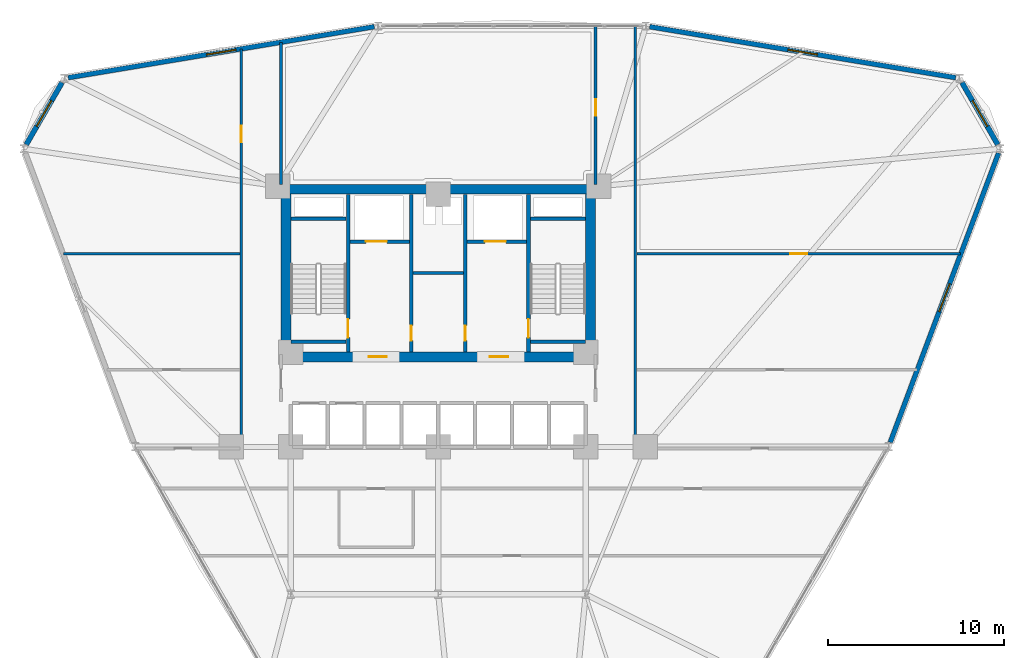
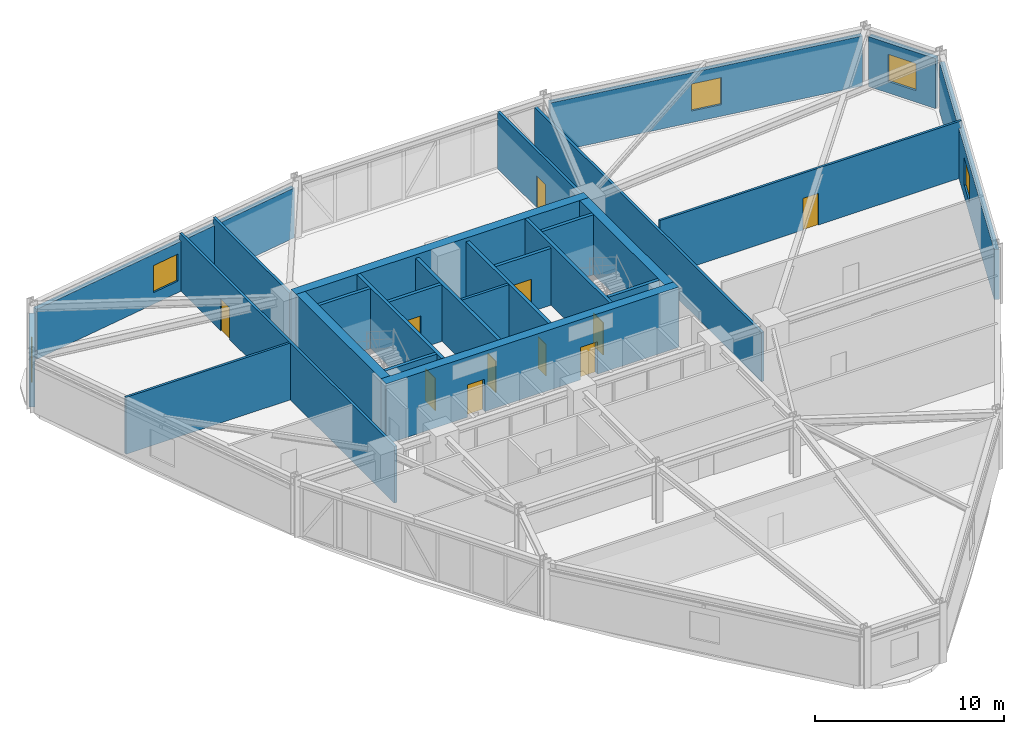
# One storey, part 15 of 20: 26 walls, 11 doors, 5 windows, 16 openings.
"""IFC4 building model written with IfcOpenShell, lengths in metres."""

from ifc_helpers import new_model, si_unit, derived_unit, direction, frame, frame_2d, origin, place, context, subcontext, project, spatial, rectangle, extrude, material, layer, layer_set, type_object, element, fill, save


model = new_model("IFC4")

# Units and contexts
model_context = context("Model", 3, precision=1e-05, world=origin(), true_north=direction((0.0, 1.0)))
body_context = subcontext(model_context, "Body", "Model", "MODEL_VIEW")
ifc_project = project(units=[si_unit("LENGTHUNIT", "METRE"), si_unit("AREAUNIT", "SQUARE_METRE"), si_unit("VOLUMEUNIT", "CUBIC_METRE"), si_unit("PLANEANGLEUNIT", "RADIAN"), si_unit("MASSUNIT", "GRAM", prefix="KILO"), derived_unit("THERMALTRANSMITTANCEUNIT", [(si_unit("POWERUNIT", "WATT"), 1), (si_unit("LENGTHUNIT", "METRE"), -2), (si_unit("THERMODYNAMICTEMPERATUREUNIT", "KELVIN"), -1)])], contexts=[model_context])

# Site, building, storey
site_placement = place(None, origin())
site = spatial("IfcSite", under=ifc_project, at=site_placement, CompositionType="ELEMENT")
building_placement = place(site_placement, origin())
building = spatial("IfcBuilding", under=site, at=building_placement, Name="Korsvarv Bourse and Concert Hall", CompositionType="ELEMENT")
storey_placement = place(building_placement, frame((0.0, 0.0, 67.800048828125)))
storey = spatial("IfcBuildingStorey", under=building, at=storey_placement, Name="L16", CompositionType="ELEMENT", Elevation=67.800048828125)

# Wall, opening, door
ifc_material_1 = material(Name="Concrete C50/60", Category="concrete")
ifc_layer_1 = layer(ifc_material_1, 0.3798828125)
ifc_layer_set_1 = layer_set([ifc_layer_1], Name="Concrete C50/60")
wall_type_1 = type_object("IfcWallType", Name="WL-CORE-380", PredefinedType="SHEAR", material=ifc_layer_set_1)
wall_1_placement = place(storey_placement, frame((30.860107421875, 37.81005859375, 0.0), z_axis=(0.0, 0.0, 1.0), x_axis=(0.0, 1.0, 0.0)))
wall_1 = element("IfcWall", 1, at=wall_1_placement, inside=storey, type_object=wall_type_1, Name="L16 stair shaft structural wall W-L16-ST1-E", PredefinedType="SHEAR", context=body_context, shape_type="SweptSolid", body=[
    extrude(rectangle(XDim=8.97998046875, YDim=0.199951171875, at=frame_2d((4.489990234375, 0.0))), origin(), (0.0, 0.0, 1.0), 3.89990234375),
])
opening_1_placement = place(wall_1_placement, frame((0.820068359375, 0.0, 0.0)))
opening_1 = element("IfcOpeningElement", 2, at=opening_1_placement, cuts=wall_1, Name="Opening D-01", PredefinedType="OPENING", context=body_context, shape_type="SweptSolid", body=[
    extrude(rectangle(XDim=1.050048828125, YDim=2.10009765625, at=frame_2d((0.52490234375, 1.050048828125))), frame((0.0, 0.10986328125, 0.0), z_axis=(0.0, -1.0, 0.0), x_axis=(1.0, 0.0, 0.0)), (0.0, 0.0, 1.0), 0.219970703125),
])
ifc_material_2 = material(Name="Steel S355 fire door", Category="steel")
door_type_1 = type_object("IfcDoorType", Name="DR-FD60", OperationType="NOTDEFINED", PredefinedType="DOOR", material=ifc_material_2)
door_1_placement = place(opening_1_placement, origin())
door_1 = element("IfcDoor", 3, at=door_1_placement, inside=storey, type_object=door_type_1, Name="L16 interior door DR-L16-ST1", OperationType="SINGLE_SWING_RIGHT", OverallHeight=2.10009765625, OverallWidth=1.050048828125, PredefinedType="DOOR", context=body_context, shape_type="SweptSolid", body=[
    extrude(rectangle(XDim=1.050048828125, YDim=2.10009765625, at=frame_2d((0.52490234375, 1.050048828125))), frame((0.0, 0.02490234375, 0.0), z_axis=(0.0, -1.0, 0.0), x_axis=(1.0, 0.0, 0.0)), (0.0, 0.0, 1.0), 0.050048828125),
])
fill(opening_1, door_1)

# Walls
for number, where, z_axis, x_axis, name in (
    (4, (27.610107421875, 45.39990234375, 0.0), (0.0, 0.0, 1.0), (1.0, 0.0, 0.0), "L16 stair shaft structural wall W-L16-ST1-N"),
    (5, (27.610107421875, 38.39990234375, 0.0), (0.0, 0.0, 1.0), (1.0, 0.0, 0.0), "L16 stair shaft structural wall W-L16-ST1-S"),
):
    element("IfcWall", number, at=place(storey_placement, frame(where, z_axis=z_axis, x_axis=x_axis)), inside=storey, type_object=wall_type_1, Name=name, PredefinedType="SHEAR", context=body_context, shape_type="SweptSolid", body=[
        extrude(rectangle(XDim=3.139892578125, YDim=0.199951171875, at=frame_2d((1.56982421875, 0.0))), origin(), (0.0, 0.0, 1.0), 3.89990234375),
    ])

# Wall, opening, door
wall_2_placement = place(storey_placement, frame((41.139892578125, 37.81005859375, 0.0), z_axis=(0.0, 0.0, 1.0), x_axis=(0.0, 1.0, 0.0)))
wall_2 = element("IfcWall", 6, at=wall_2_placement, inside=storey, type_object=wall_type_1, Name="L16 stair shaft structural wall W-L16-ST2-W", PredefinedType="SHEAR", context=body_context, shape_type="SweptSolid", body=[
    extrude(rectangle(XDim=8.97998046875, YDim=0.199951171875, at=frame_2d((4.489990234375, 0.0))), origin(), (0.0, 0.0, 1.0), 3.89990234375),
])
opening_2_placement = place(wall_2_placement, frame((0.820068359375, 0.0, 0.0)))
opening_2 = element("IfcOpeningElement", 7, at=opening_2_placement, cuts=wall_2, Name="Opening D-01", PredefinedType="OPENING", context=body_context, shape_type="SweptSolid", body=[
    extrude(rectangle(XDim=1.050048828125, YDim=2.10009765625, at=frame_2d((0.52490234375, 1.050048828125))), frame((0.0, 0.10986328125, 0.0), z_axis=(0.0, -1.0, 0.0), x_axis=(1.0, 0.0, 0.0)), (0.0, 0.0, 1.0), 0.219970703125),
])
door_2_placement = place(opening_2_placement, frame((1.050048828125, 0.0, 0.0), z_axis=(0.0, 0.0, 1.0), x_axis=(-1.0, 0.0, 0.0)))
door_2 = element("IfcDoor", 8, at=door_2_placement, inside=storey, type_object=door_type_1, Name="L16 interior door DR-L16-ST2", OperationType="SINGLE_SWING_LEFT", OverallHeight=2.10009765625, OverallWidth=1.050048828125, PredefinedType="DOOR", context=body_context, shape_type="SweptSolid", body=[
    extrude(rectangle(XDim=1.050048828125, YDim=2.10009765625, at=frame_2d((0.52490234375, 1.050048828125))), frame((0.0, 0.02490234375, 0.0), z_axis=(0.0, -1.0, 0.0), x_axis=(1.0, 0.0, 0.0)), (0.0, 0.0, 1.0), 0.050048828125),
])
fill(opening_2, door_2)

# Walls
for number, where, z_axis, x_axis, name in (
    (9, (41.25, 45.39990234375, 0.0), (0.0, 0.0, 1.0), (1.0, 0.0, 0.0), "L16 stair shaft structural wall W-L16-ST2-N"),
    (10, (41.25, 38.39990234375, 0.0), (0.0, 0.0, 1.0), (1.0, 0.0, 0.0), "L16 stair shaft structural wall W-L16-ST2-S"),
):
    element("IfcWall", number, at=place(storey_placement, frame(where, z_axis=z_axis, x_axis=x_axis)), inside=storey, type_object=wall_type_1, Name=name, PredefinedType="SHEAR", context=body_context, shape_type="SweptSolid", body=[
        extrude(rectangle(XDim=3.139892578125, YDim=0.199951171875, at=frame_2d((1.56982421875, 0.0))), origin(), (0.0, 0.0, 1.0), 3.89990234375),
    ])
ifc_material_3 = material(Name="Concrete C60/75", Category="concrete")
ifc_layer_2 = layer(ifc_material_3, 0.550048828125)
ifc_layer_set_2 = layer_set([ifc_layer_2], Name="Concrete C60/75")
wall_type_2 = type_object("IfcWallType", Name="WL-CORE-550", PredefinedType="SHEAR", material=ifc_layer_set_2)
wall_3_placement = place(storey_placement, frame((27.050048828125, 47.074951171875, 0.0), z_axis=(0.0, 0.0, 1.0), x_axis=(1.0, 0.0, 0.0)))
element("IfcWall", 11, at=wall_3_placement, inside=storey, type_object=wall_type_2, Name="L16 North Core Shear Wall", PredefinedType="SHEAR", context=body_context, shape_type="SweptSolid", body=[
    extrude(rectangle(XDim=17.89990234375, YDim=0.550048828125, at=frame_2d((8.949951171875, 0.0))), origin(), (0.0, 0.0, 1.0), 3.89990234375),
])

# Wall, openings, doors
wall_4_placement = place(storey_placement, frame((27.050048828125, 37.52490234375, 0.0), z_axis=(0.0, 0.0, 1.0), x_axis=(1.0, 0.0, 0.0)))
wall_4 = element("IfcWall", 12, at=wall_4_placement, inside=storey, type_object=wall_type_2, Name="L16 South Core Shear Wall", PredefinedType="SHEAR", context=body_context, shape_type="SweptSolid", body=[
    extrude(rectangle(XDim=17.89990234375, YDim=0.550048828125, at=frame_2d((8.949951171875, 0.0))), origin(), (0.0, 0.0, 1.0), 3.89990234375),
])
opening_3_placement = place(wall_4_placement, frame((4.97509765625, 0.0, 0.0)))
opening_3 = element("IfcOpeningElement", 13, at=opening_3_placement, cuts=wall_4, Name="Opening D-01", PredefinedType="OPENING", context=body_context, shape_type="SweptSolid", body=[
    extrude(rectangle(XDim=1.050048828125, YDim=2.10009765625, at=frame_2d((0.52490234375, 1.050048828125))), frame((0.0, 0.28515625, 0.0), z_axis=(0.0, -1.0, 0.0), x_axis=(1.0, 0.0, 0.0)), (0.0, 0.0, 1.0), 0.570068359375),
])
opening_4_placement = place(wall_4_placement, frame((11.875, 0.0, 0.0)))
opening_4 = element("IfcOpeningElement", 14, at=opening_4_placement, cuts=wall_4, Name="Opening D-01", PredefinedType="OPENING", context=body_context, shape_type="SweptSolid", body=[
    extrude(rectangle(XDim=1.050048828125, YDim=2.10009765625, at=frame_2d((0.52490234375, 1.050048828125))), frame((0.0, 0.28515625, 0.0), z_axis=(0.0, -1.0, 0.0), x_axis=(1.0, 0.0, 0.0)), (0.0, 0.0, 1.0), 0.570068359375),
])
door_3_placement = place(opening_3_placement, frame((1.050048828125, 0.0, 0.0), z_axis=(0.0, 0.0, 1.0), x_axis=(-1.0, 0.0, 0.0)))
door_3 = element("IfcDoor", 15, at=door_3_placement, inside=storey, type_object=door_type_1, Name="L16 firefighting lobby fire door DR-L16-FFLW", OperationType="SINGLE_SWING_LEFT", OverallHeight=2.10009765625, OverallWidth=1.050048828125, PredefinedType="DOOR", context=body_context, shape_type="SweptSolid", body=[
    extrude(rectangle(XDim=1.050048828125, YDim=2.10009765625, at=frame_2d((0.52490234375, 1.050048828125))), frame((0.0, 0.02490234375, 0.0), z_axis=(0.0, -1.0, 0.0), x_axis=(1.0, 0.0, 0.0)), (0.0, 0.0, 1.0), 0.050048828125),
])
fill(opening_3, door_3)
door_4_placement = place(opening_4_placement, frame((1.050048828125, 0.0, 0.0), z_axis=(0.0, 0.0, 1.0), x_axis=(-1.0, 0.0, 0.0)))
door_4 = element("IfcDoor", 16, at=door_4_placement, inside=storey, type_object=door_type_1, Name="L16 firefighting lobby fire door DR-L16-FFLE", OperationType="SINGLE_SWING_RIGHT", OverallHeight=2.10009765625, OverallWidth=1.050048828125, PredefinedType="DOOR", context=body_context, shape_type="SweptSolid", body=[
    extrude(rectangle(XDim=1.050048828125, YDim=2.10009765625, at=frame_2d((0.52490234375, 1.050048828125))), frame((0.0, 0.02490234375, 0.0), z_axis=(0.0, -1.0, 0.0), x_axis=(1.0, 0.0, 0.0)), (0.0, 0.0, 1.0), 0.050048828125),
])
fill(opening_4, door_4)

# Walls
for number, where, z_axis, x_axis, name in (
    (17, (27.324951171875, 37.800048828125, 0.0), (0.0, 0.0, 1.0), (0.0, 1.0, 0.0), "L16 West Core Shear Wall"),
    (18, (44.675048828125, 37.800048828125, 0.0), (0.0, 0.0, 1.0), (0.0, 1.0, 0.0), "L16 East Core Shear Wall"),
):
    element("IfcWall", number, at=place(storey_placement, frame(where, z_axis=z_axis, x_axis=x_axis)), inside=storey, type_object=wall_type_2, Name=name, PredefinedType="SHEAR", context=body_context, shape_type="SweptSolid", body=[
        extrude(rectangle(XDim=9.0, YDim=0.550048828125, at=frame_2d((4.5, 0.0))), origin(), (0.0, 0.0, 1.0), 3.89990234375),
    ])

# Wall, opening, window
ifc_material_4 = material(Name="Precast concrete C45/55 with terracotta rainscreen", Category="concrete")
ifc_layer_3 = layer(ifc_material_4, 0.300048828125)
ifc_layer_set_3 = layer_set([ifc_layer_3], Name="Precast concrete C45/55 with terracotta rainscreen")
wall_type_3 = type_object("IfcWallType", Name="WL-EXT-TC1", PredefinedType="SOLIDWALL", material=ifc_layer_set_3)
wall_5_placement = place(storey_placement, frame((67.876953125, 49.624267578125, 0.0), z_axis=(0.0, 0.0, 1.0), x_axis=(-0.500014317814, 0.866017137233, 0.0)))
wall_5 = element("IfcWall", 19, at=wall_5_placement, inside=storey, type_object=wall_type_3, Name="L16 terracotta exterior wall EW-L16-B01", PredefinedType="SOLIDWALL", context=body_context, shape_type="SweptSolid", body=[
    extrude(rectangle(XDim=4.0791015625, YDim=0.300048828125, at=frame_2d((2.03955078125, 0.0))), origin(), (0.0, 0.0, 1.0), 3.22998046875),
])
opening_5_placement = place(wall_5_placement, frame((1.189453125, 0.0, 0.75)))
opening_5 = element("IfcOpeningElement", 20, at=opening_5_placement, cuts=wall_5, Name="Opening W-01", PredefinedType="OPENING", context=body_context, shape_type="SweptSolid", body=[
    extrude(rectangle(XDim=1.699951171875, YDim=1.75, at=frame_2d((0.85009765625, 0.875))), frame((0.0, 0.16015625, 0.0), z_axis=(0.0, -1.0, 0.0), x_axis=(1.0, 0.0, 0.0)), (0.0, 0.0, 1.0), 0.320068359375),
])
ifc_material_5 = material(Name="Thermally broken aluminium frame with triple low-E glass", Category="glass")
window_type = type_object("IfcWindowType", Name="WIN-TW1", PartitioningType="SINGLE_PANEL", PredefinedType="WINDOW", material=ifc_material_5)
window_1_placement = place(opening_5_placement, origin())
window_1 = element("IfcWindow", 21, at=window_1_placement, inside=storey, type_object=window_type, Name="L16 punched facade window W-01", OverallHeight=1.75, OverallWidth=1.699951171875, PartitioningType="SINGLE_PANEL", PredefinedType="WINDOW", context=body_context, shape_type="SweptSolid", body=[
    extrude(rectangle(XDim=1.699951171875, YDim=1.75, at=frame_2d((0.85009765625, 0.875))), frame((0.0, 0.030029296875, 0.0), z_axis=(0.0, -1.0, 0.0), x_axis=(1.0, 0.0, 0.0)), (0.0, 0.0, 1.0), 0.06005859375),
])
fill(opening_5, window_1)

wall_6_placement = place(storey_placement, frame((14.5625, 53.15673828125, 0.0), z_axis=(0.0, 0.0, 1.0), x_axis=(-0.499969426694, -0.866043054571, 0.0)))
wall_6 = element("IfcWall", 22, at=wall_6_placement, inside=storey, type_object=wall_type_3, Name="L16 terracotta exterior wall EW-L16-B05", PredefinedType="SOLIDWALL", context=body_context, shape_type="SweptSolid", body=[
    extrude(rectangle(XDim=4.078857421875, YDim=0.300048828125, at=frame_2d((2.03955078125, 0.0))), origin(), (0.0, 0.0, 1.0), 3.22998046875),
])
opening_6_placement = place(wall_6_placement, frame((1.189453125, 0.0, 0.75)))
opening_6 = element("IfcOpeningElement", 23, at=opening_6_placement, cuts=wall_6, Name="Opening W-01", PredefinedType="OPENING", context=body_context, shape_type="SweptSolid", body=[
    extrude(rectangle(XDim=1.699951171875, YDim=1.75, at=frame_2d((0.85009765625, 0.875))), frame((0.0, 0.16015625, 0.0), z_axis=(0.0, -1.0, 0.0), x_axis=(1.0, 0.0, 0.0)), (0.0, 0.0, 1.0), 0.320068359375),
])
window_2_placement = place(opening_6_placement, origin())
window_2 = element("IfcWindow", 24, at=window_2_placement, inside=storey, type_object=window_type, Name="L16 punched facade window W-01", OverallHeight=1.75, OverallWidth=1.699951171875, PartitioningType="SINGLE_PANEL", PredefinedType="WINDOW", context=body_context, shape_type="SweptSolid", body=[
    extrude(rectangle(XDim=1.699951171875, YDim=1.75, at=frame_2d((0.85009765625, 0.875))), frame((0.0, 0.030029296875, 0.0), z_axis=(0.0, -1.0, 0.0), x_axis=(1.0, 0.0, 0.0)), (0.0, 0.0, 1.0), 0.06005859375),
])
fill(opening_6, window_2)

ifc_material_6 = material(Name="Precast concrete C45/55 with fluted terracotta pier", Category="concrete")
ifc_layer_4 = layer(ifc_material_6, 0.280029296875)
ifc_layer_set_4 = layer_set([ifc_layer_4], Name="Precast concrete C45/55 with fluted terracotta pier")
wall_type_4 = type_object("IfcWallType", Name="WL-EXT-TC2", PredefinedType="SOLIDWALL", material=ifc_layer_set_4)
wall_7_placement = place(storey_placement, frame((65.480712890625, 53.43505859375, 0.0), z_axis=(0.0, 0.0, 1.0), x_axis=(-0.986399895449, 0.16436315359, 0.0)))
wall_7 = element("IfcWall", 25, at=wall_7_placement, inside=storey, type_object=wall_type_4, Name="L16 terracotta exterior wall EW-L16-B02", PredefinedType="SOLIDWALL", context=body_context, shape_type="SweptSolid", body=[
    extrude(rectangle(XDim=17.677490234375, YDim=0.280029296875, at=frame_2d((8.8388671875, 0.0))), origin(), (0.0, 0.0, 1.0), 3.22998046875),
])
opening_7_placement = place(wall_7_placement, frame((7.98876953125, 0.0, 0.75)))
opening_7 = element("IfcOpeningElement", 26, at=opening_7_placement, cuts=wall_7, Name="Opening W-01", PredefinedType="OPENING", context=body_context, shape_type="SweptSolid", body=[
    extrude(rectangle(XDim=1.699951171875, YDim=1.75, at=frame_2d((0.85009765625, 0.875))), frame((0.0, 0.14990234375, 0.0), z_axis=(0.0, -1.0, 0.0), x_axis=(1.0, 0.0, 0.0)), (0.0, 0.0, 1.0), 0.300048828125),
])
window_3_placement = place(opening_7_placement, origin())
window_3 = element("IfcWindow", 27, at=window_3_placement, inside=storey, type_object=window_type, Name="L16 punched facade window W-01", OverallHeight=1.75, OverallWidth=1.699951171875, PartitioningType="SINGLE_PANEL", PredefinedType="WINDOW", context=body_context, shape_type="SweptSolid", body=[
    extrude(rectangle(XDim=1.699951171875, YDim=1.75, at=frame_2d((0.85009765625, 0.875))), frame((0.0, 0.030029296875, 0.0), z_axis=(0.0, -1.0, 0.0), x_axis=(1.0, 0.0, 0.0)), (0.0, 0.0, 1.0), 0.06005859375),
])
fill(opening_7, window_3)

wall_8_placement = place(storey_placement, frame((32.356201171875, 56.340576171875, 0.0), z_axis=(0.0, 0.0, 1.0), x_axis=(-0.986399895449, -0.16436315359, 0.0)))
wall_8 = element("IfcWall", 28, at=wall_8_placement, inside=storey, type_object=wall_type_4, Name="L16 terracotta exterior wall EW-L16-B04", PredefinedType="SOLIDWALL", context=body_context, shape_type="SweptSolid", body=[
    extrude(rectangle(XDim=17.677490234375, YDim=0.280029296875, at=frame_2d((8.8388671875, 0.0))), origin(), (0.0, 0.0, 1.0), 3.22998046875),
])
opening_8_placement = place(wall_8_placement, frame((7.98876953125, 0.0, 0.75)))
opening_8 = element("IfcOpeningElement", 29, at=opening_8_placement, cuts=wall_8, Name="Opening W-01", PredefinedType="OPENING", context=body_context, shape_type="SweptSolid", body=[
    extrude(rectangle(XDim=1.699951171875, YDim=1.75, at=frame_2d((0.85009765625, 0.875))), frame((0.0, 0.14990234375, 0.0), z_axis=(0.0, -1.0, 0.0), x_axis=(1.0, 0.0, 0.0)), (0.0, 0.0, 1.0), 0.300048828125),
])
window_4_placement = place(opening_8_placement, origin())
window_4 = element("IfcWindow", 30, at=window_4_placement, inside=storey, type_object=window_type, Name="L16 punched facade window W-01", OverallHeight=1.75, OverallWidth=1.699951171875, PartitioningType="SINGLE_PANEL", PredefinedType="WINDOW", context=body_context, shape_type="SweptSolid", body=[
    extrude(rectangle(XDim=1.699951171875, YDim=1.75, at=frame_2d((0.85009765625, 0.875))), frame((0.0, 0.030029296875, 0.0), z_axis=(0.0, -1.0, 0.0), x_axis=(1.0, 0.0, 0.0)), (0.0, 0.0, 1.0), 0.06005859375),
])
fill(opening_8, window_4)

wall_9_placement = place(storey_placement, frame((61.7509765625, 32.658447265625, 0.0), z_axis=(0.0, 0.0, 1.0), x_axis=(0.350833077365, 0.936438012805, 0.0)))
wall_9 = element("IfcWall", 31, at=wall_9_placement, inside=storey, type_object=wall_type_4, Name="L16 terracotta exterior wall EW-L16-B12", PredefinedType="SOLIDWALL", context=body_context, shape_type="SweptSolid", body=[
    extrude(rectangle(XDim=17.600341796875, YDim=0.280029296875, at=frame_2d((8.80029296875, 0.0))), origin(), (0.0, 0.0, 1.0), 3.22998046875),
])
opening_9_placement = place(wall_9_placement, frame((7.9501953125, 0.0, 0.75)))
opening_9 = element("IfcOpeningElement", 32, at=opening_9_placement, cuts=wall_9, Name="Opening W-01", PredefinedType="OPENING", context=body_context, shape_type="SweptSolid", body=[
    extrude(rectangle(XDim=1.699951171875, YDim=1.75, at=frame_2d((0.85009765625, 0.875))), frame((0.0, 0.14990234375, 0.0), z_axis=(0.0, -1.0, 0.0), x_axis=(1.0, 0.0, 0.0)), (0.0, 0.0, 1.0), 0.300048828125),
])
window_5_placement = place(opening_9_placement, origin())
window_5 = element("IfcWindow", 33, at=window_5_placement, inside=storey, type_object=window_type, Name="L16 punched facade window W-01", OverallHeight=1.75, OverallWidth=1.699951171875, PartitioningType="SINGLE_PANEL", PredefinedType="WINDOW", context=body_context, shape_type="SweptSolid", body=[
    extrude(rectangle(XDim=1.699951171875, YDim=1.75, at=frame_2d((0.85009765625, 0.875))), frame((0.0, 0.030029296875, 0.0), z_axis=(0.0, -1.0, 0.0), x_axis=(1.0, 0.0, 0.0)), (0.0, 0.0, 1.0), 0.06005859375),
])
fill(opening_9, window_5)

# Wall, opening, door
ifc_material_7 = material(Name="Reinforced concrete blockwork C35/45 fire wall", Category="concrete")
ifc_layer_5 = layer(ifc_material_7, 0.199951171875)
ifc_layer_set_5 = layer_set([ifc_layer_5], Name="Reinforced concrete blockwork C35/45 fire wall")
wall_type_5 = type_object("IfcWallType", Name="WL-INT-EI120", PredefinedType="PARTITIONING", material=ifc_layer_set_5)
wall_10_placement = place(storey_placement, frame((30.969970703125, 44.10009765625, 0.0), z_axis=(0.0, 0.0, 1.0), x_axis=(1.0, 0.0, 0.0)))
wall_10 = element("IfcWall", 34, at=wall_10_placement, inside=storey, type_object=wall_type_5, Name="L16 interior partition wall W-L16-FF1-S", PredefinedType="PARTITIONING", context=body_context, shape_type="SweptSolid", body=[
    extrude(rectangle(XDim=3.380126953125, YDim=0.199951171875, at=frame_2d((1.68994140625, 0.0))), origin(), (0.0, 0.0, 1.0), 3.679931640625),
])
opening_10_placement = place(wall_10_placement, frame((0.89990234375, 0.0, 0.0)))
opening_10 = element("IfcOpeningElement", 35, at=opening_10_placement, cuts=wall_10, Name="Opening LD-1", PredefinedType="OPENING", context=body_context, shape_type="SweptSolid", body=[
    extrude(rectangle(XDim=1.199951171875, YDim=2.10009765625, at=frame_2d((0.60009765625, 1.050048828125))), frame((0.0, 0.10986328125, 0.0), z_axis=(0.0, -1.0, 0.0), x_axis=(1.0, 0.0, 0.0)), (0.0, 0.0, 1.0), 0.219970703125),
])
ifc_material_8 = material(Name="Stainless Steel S355 firefighting lift landing door", Category="steel")
door_type_2 = type_object("IfcDoorType", Name="DR-LIFT-FF", OperationType="DOUBLE_DOOR_SLIDING", PredefinedType="DOOR", material=ifc_material_8)
door_5_placement = place(opening_10_placement, origin())
door_5 = element("IfcDoor", 36, at=door_5_placement, inside=storey, type_object=door_type_2, Name="L16 lift sliding landing door LD-L16-FF1", OperationType="DOUBLE_DOOR_SLIDING", OverallHeight=2.10009765625, OverallWidth=1.199951171875, PredefinedType="DOOR", context=body_context, shape_type="SweptSolid", body=[
    extrude(rectangle(XDim=1.199951171875, YDim=2.10009765625, at=frame_2d((0.60009765625, 1.050048828125))), frame((0.0, 0.02490234375, 0.0), z_axis=(0.0, -1.0, 0.0), x_axis=(1.0, 0.0, 0.0)), (0.0, 0.0, 1.0), 0.050048828125),
])
fill(opening_10, door_5)

wall_11_placement = place(storey_placement, frame((37.64990234375, 44.10009765625, 0.0), z_axis=(0.0, 0.0, 1.0), x_axis=(1.0, 0.0, 0.0)))
wall_11 = element("IfcWall", 37, at=wall_11_placement, inside=storey, type_object=wall_type_5, Name="L16 interior partition wall W-L16-FF2-S", PredefinedType="PARTITIONING", context=body_context, shape_type="SweptSolid", body=[
    extrude(rectangle(XDim=3.380126953125, YDim=0.199951171875, at=frame_2d((1.68994140625, 0.0))), origin(), (0.0, 0.0, 1.0), 3.679931640625),
])
opening_11_placement = place(wall_11_placement, frame((1.0, 0.0, 0.0)))
opening_11 = element("IfcOpeningElement", 38, at=opening_11_placement, cuts=wall_11, Name="Opening LD-1", PredefinedType="OPENING", context=body_context, shape_type="SweptSolid", body=[
    extrude(rectangle(XDim=1.199951171875, YDim=2.10009765625, at=frame_2d((0.60009765625, 1.050048828125))), frame((0.0, 0.10986328125, 0.0), z_axis=(0.0, -1.0, 0.0), x_axis=(1.0, 0.0, 0.0)), (0.0, 0.0, 1.0), 0.219970703125),
])
door_6_placement = place(opening_11_placement, origin())
door_6 = element("IfcDoor", 39, at=door_6_placement, inside=storey, type_object=door_type_2, Name="L16 lift sliding landing door LD-L16-FF2", OperationType="DOUBLE_DOOR_SLIDING", OverallHeight=2.10009765625, OverallWidth=1.199951171875, PredefinedType="DOOR", context=body_context, shape_type="SweptSolid", body=[
    extrude(rectangle(XDim=1.199951171875, YDim=2.10009765625, at=frame_2d((0.60009765625, 1.050048828125))), frame((0.0, 0.02490234375, 0.0), z_axis=(0.0, -1.0, 0.0), x_axis=(1.0, 0.0, 0.0)), (0.0, 0.0, 1.0), 0.050048828125),
])
fill(opening_11, door_6)

wall_12_placement = place(storey_placement, frame((34.4599609375, 37.81005859375, 0.0), z_axis=(0.0, 0.0, 1.0), x_axis=(0.0, 1.0, 0.0)))
wall_12 = element("IfcWall", 40, at=wall_12_placement, inside=storey, type_object=wall_type_5, Name="L16 interior partition wall W-L16-CSB-W", PredefinedType="PARTITIONING", context=body_context, shape_type="SweptSolid", body=[
    extrude(rectangle(XDim=8.97998046875, YDim=0.199951171875, at=frame_2d((4.489990234375, 0.0))), origin(), (0.0, 0.0, 1.0), 3.679931640625),
])
opening_12_placement = place(wall_12_placement, frame((0.64990234375, 0.0, 0.0)))
opening_12 = element("IfcOpeningElement", 41, at=opening_12_placement, cuts=wall_12, Name="Opening D-05", PredefinedType="OPENING", context=body_context, shape_type="SweptSolid", body=[
    extrude(rectangle(XDim=0.85009765625, YDim=2.050048828125, at=frame_2d((0.425048828125, 1.02490234375))), frame((0.0, 0.10986328125, 0.0), z_axis=(0.0, -1.0, 0.0), x_axis=(1.0, 0.0, 0.0)), (0.0, 0.0, 1.0), 0.219970703125),
])
door_type_3 = type_object("IfcDoorType", Name="DR-FD60-850X2050", OperationType="NOTDEFINED", PredefinedType="DOOR", material=ifc_material_2)
door_7_placement = place(opening_12_placement, frame((0.85009765625, 0.0, 0.0), z_axis=(0.0, 0.0, 1.0), x_axis=(-1.0, 0.0, 0.0)))
door_7 = element("IfcDoor", 42, at=door_7_placement, inside=storey, type_object=door_type_3, Name="L16 interior door DR-L16-CSB1", OperationType="SINGLE_SWING_RIGHT", OverallHeight=2.050048828125, OverallWidth=0.85009765625, PredefinedType="DOOR", context=body_context, shape_type="SweptSolid", body=[
    extrude(rectangle(XDim=0.85009765625, YDim=2.050048828125, at=frame_2d((0.425048828125, 1.02490234375))), frame((0.0, 0.02490234375, 0.0), z_axis=(0.0, -1.0, 0.0), x_axis=(1.0, 0.0, 0.0)), (0.0, 0.0, 1.0), 0.050048828125),
])
fill(opening_12, door_7)

wall_13_placement = place(storey_placement, frame((37.5400390625, 37.81005859375, 0.0), z_axis=(0.0, 0.0, 1.0), x_axis=(0.0, 1.0, 0.0)))
wall_13 = element("IfcWall", 43, at=wall_13_placement, inside=storey, type_object=wall_type_5, Name="L16 interior partition wall W-L16-CSB-E", PredefinedType="PARTITIONING", context=body_context, shape_type="SweptSolid", body=[
    extrude(rectangle(XDim=8.97998046875, YDim=0.199951171875, at=frame_2d((4.489990234375, 0.0))), origin(), (0.0, 0.0, 1.0), 3.679931640625),
])
opening_13_placement = place(wall_13_placement, frame((0.64990234375, 0.0, 0.0)))
opening_13 = element("IfcOpeningElement", 44, at=opening_13_placement, cuts=wall_13, Name="Opening D-05", PredefinedType="OPENING", context=body_context, shape_type="SweptSolid", body=[
    extrude(rectangle(XDim=0.85009765625, YDim=2.050048828125, at=frame_2d((0.425048828125, 1.02490234375))), frame((0.0, 0.10986328125, 0.0), z_axis=(0.0, -1.0, 0.0), x_axis=(1.0, 0.0, 0.0)), (0.0, 0.0, 1.0), 0.219970703125),
])
door_8_placement = place(opening_13_placement, origin())
door_8 = element("IfcDoor", 45, at=door_8_placement, inside=storey, type_object=door_type_3, Name="L16 interior door DR-L16-CSB2", OperationType="SINGLE_SWING_LEFT", OverallHeight=2.050048828125, OverallWidth=0.85009765625, PredefinedType="DOOR", context=body_context, shape_type="SweptSolid", body=[
    extrude(rectangle(XDim=0.85009765625, YDim=2.050048828125, at=frame_2d((0.425048828125, 1.02490234375))), frame((0.0, 0.02490234375, 0.0), z_axis=(0.0, -1.0, 0.0), x_axis=(1.0, 0.0, 0.0)), (0.0, 0.0, 1.0), 0.050048828125),
])
fill(opening_13, door_8)

# Walls
ifc_material_9 = material(Name="Double-stud fire-rated acoustic partition", Category="gypsum")
ifc_layer_6 = layer(ifc_material_9, 0.159912109375)
ifc_layer_set_6 = layer_set([ifc_layer_6], Name="Double-stud fire-rated acoustic partition")
wall_type_6 = type_object("IfcWallType", Name="WL-INT-EI60", PredefinedType="PARTITIONING", material=ifc_layer_set_6)
wall_14_placement = place(storey_placement, frame((34.570068359375, 42.300048828125, 0.0), z_axis=(0.0, 0.0, 1.0), x_axis=(1.0, 0.0, 0.0)))
element("IfcWall", 46, at=wall_14_placement, inside=storey, type_object=wall_type_6, Name="L16 interior partition wall W-L16-K1", PredefinedType="PARTITIONING", context=body_context, shape_type="SweptSolid", body=[
    extrude(rectangle(XDim=2.85986328125, YDim=0.159912109375, at=frame_2d((1.429931640625, 0.0))), origin(), (0.0, 0.0, 1.0), 3.679931640625),
])
wall_15_placement = place(storey_placement, frame((47.22509765625, 32.31005859375, 0.0), z_axis=(0.0, 0.0, 1.0), x_axis=(0.0, 1.0, 0.0)))
element("IfcWall", 47, at=wall_15_placement, inside=storey, type_object=wall_type_6, Name="L16 interior partition wall W-L16-TCOR-02", PredefinedType="PARTITIONING", context=body_context, shape_type="SweptSolid", body=[
    extrude(rectangle(XDim=24.046630859375, YDim=0.159912109375, at=frame_2d((12.0234375, 0.0))), origin(), (0.0, 0.0, 1.0), 3.179931640625),
])

# Wall, opening, door
wall_16_placement = place(storey_placement, frame((24.77490234375, 32.31005859375, 0.0), z_axis=(0.0, 0.0, 1.0), x_axis=(0.0, 1.0, 0.0)))
wall_16 = element("IfcWall", 48, at=wall_16_placement, inside=storey, type_object=wall_type_6, Name="L16 interior partition wall W-L16-TCOR-03", PredefinedType="PARTITIONING", context=body_context, shape_type="SweptSolid", body=[
    extrude(rectangle(XDim=22.747314453125, YDim=0.159912109375, at=frame_2d((11.37353515625, 0.0))), origin(), (0.0, 0.0, 1.0), 3.679931640625),
])
opening_14_placement = place(wall_16_placement, frame((17.44873046875, 0.0, 0.0)))
opening_14 = element("IfcOpeningElement", 49, at=opening_14_placement, cuts=wall_16, Name="Opening D-02", PredefinedType="OPENING", context=body_context, shape_type="SweptSolid", body=[
    extrude(rectangle(XDim=0.949951171875, YDim=2.050048828125, at=frame_2d((0.47509765625, 1.02490234375))), frame((0.0, 0.08984375, 0.0), z_axis=(0.0, -1.0, 0.0), x_axis=(1.0, 0.0, 0.0)), (0.0, 0.0, 1.0), 0.179931640625),
])
ifc_material_10 = material(Name="Timber and steel acoustic fire door", Category="wood")
door_type_4 = type_object("IfcDoorType", Name="DR-FD30", OperationType="NOTDEFINED", PredefinedType="DOOR", material=ifc_material_10)
door_9_placement = place(opening_14_placement, origin())
door_9 = element("IfcDoor", 50, at=door_9_placement, inside=storey, type_object=door_type_4, Name="L16 interior door DR-L16-TCOR-QT610", OperationType="SINGLE_SWING_RIGHT", OverallHeight=2.050048828125, OverallWidth=0.949951171875, PredefinedType="DOOR", context=body_context, shape_type="SweptSolid", body=[
    extrude(rectangle(XDim=0.949951171875, YDim=2.050048828125, at=frame_2d((0.47509765625, 1.02490234375))), frame((0.0, 0.02490234375, 0.0), z_axis=(0.0, -1.0, 0.0), x_axis=(1.0, 0.0, 0.0)), (0.0, 0.0, 1.0), 0.050048828125),
])
fill(opening_14, door_9)

wall_17_placement = place(storey_placement, frame((44.965087890625, 47.340087890625, 0.0), z_axis=(0.0, 0.0, 1.0), x_axis=(0.0, 1.0, 0.0)))
wall_17 = element("IfcWall", 51, at=wall_17_placement, inside=storey, type_object=wall_type_6, Name="L16 interior partition wall W-L16-TCOR-05", PredefinedType="PARTITIONING", context=body_context, shape_type="SweptSolid", body=[
    extrude(rectangle(XDim=9.0166015625, YDim=0.159912109375, at=frame_2d((4.50830078125, 0.0))), origin(), (0.0, 0.0, 1.0), 3.679931640625),
])
opening_15_placement = place(wall_17_placement, frame((3.92724609375, 0.0, 0.0)))
opening_15 = element("IfcOpeningElement", 52, at=opening_15_placement, cuts=wall_17, Name="Opening D-02", PredefinedType="OPENING", context=body_context, shape_type="SweptSolid", body=[
    extrude(rectangle(XDim=0.949951171875, YDim=2.050048828125, at=frame_2d((0.47509765625, 1.02490234375))), frame((0.0, 0.08984375, 0.0), z_axis=(0.0, -1.0, 0.0), x_axis=(1.0, 0.0, 0.0)), (0.0, 0.0, 1.0), 0.179931640625),
])
door_10_placement = place(opening_15_placement, origin())
door_10 = element("IfcDoor", 53, at=door_10_placement, inside=storey, type_object=door_type_4, Name="L16 interior door DR-L16-TCOR-RM77", OperationType="SINGLE_SWING_RIGHT", OverallHeight=2.050048828125, OverallWidth=0.949951171875, PredefinedType="DOOR", context=body_context, shape_type="SweptSolid", body=[
    extrude(rectangle(XDim=0.949951171875, YDim=2.050048828125, at=frame_2d((0.47509765625, 1.02490234375))), frame((0.0, 0.02490234375, 0.0), z_axis=(0.0, -1.0, 0.0), x_axis=(1.0, 0.0, 0.0)), (0.0, 0.0, 1.0), 0.050048828125),
])
fill(opening_15, door_10)

# Wall
wall_18_placement = place(storey_placement, frame((27.034912109375, 47.340087890625, 0.0), z_axis=(0.0, 0.0, 1.0), x_axis=(0.0, 1.0, 0.0)))
element("IfcWall", 54, at=wall_18_placement, inside=storey, type_object=wall_type_6, Name="L16 interior partition wall W-L16-TCOR-06", PredefinedType="PARTITIONING", context=body_context, shape_type="SweptSolid", body=[
    extrude(rectangle(XDim=8.09375, YDim=0.159912109375, at=frame_2d((4.046875, 0.0))), origin(), (0.0, 0.0, 1.0), 3.679931640625),
])

# Wall, opening, door
ifc_material_11 = material(Name="Insulated steel-stud office acoustic partition", Category="gypsum")
ifc_layer_7 = layer(ifc_material_11, 0.139892578125)
ifc_layer_set_7 = layer_set([ifc_layer_7], Name="Insulated steel-stud office acoustic partition")
wall_type_7 = type_object("IfcWallType", Name="WL-INT-P1", PredefinedType="PARTITIONING", material=ifc_layer_set_7)
wall_19_placement = place(storey_placement, frame((47.306884765625, 43.405029296875, 0.0), z_axis=(0.0, 0.0, 1.0), x_axis=(1.0, 0.0, 0.0)))
wall_19 = element("IfcWall", 55, at=wall_19_placement, inside=storey, type_object=wall_type_7, Name="L16 interior partition wall W-L16-TCOR-10", PredefinedType="PARTITIONING", context=body_context, shape_type="SweptSolid", body=[
    extrude(rectangle(XDim=18.4501953125, YDim=0.139892578125, at=frame_2d((9.22509765625, 0.0))), origin(), (0.0, 0.0, 1.0), 3.679931640625),
])
opening_16_placement = place(wall_19_placement, frame((8.75, 0.0, 0.0)))
opening_16 = element("IfcOpeningElement", 56, at=opening_16_placement, cuts=wall_19, Name="Opening D-03", PredefinedType="OPENING", context=body_context, shape_type="SweptSolid", body=[
    extrude(rectangle(XDim=0.949951171875, YDim=2.050048828125, at=frame_2d((0.47509765625, 1.02490234375))), frame((0.0, 0.080078125, 0.0), z_axis=(0.0, -1.0, 0.0), x_axis=(1.0, 0.0, 0.0)), (0.0, 0.0, 1.0), 0.159912109375),
])
ifc_material_12 = material(Name="Nordic oak acoustic office door", Category="wood")
door_type_5 = type_object("IfcDoorType", Name="DR-INT-1", OperationType="NOTDEFINED", PredefinedType="DOOR", material=ifc_material_12)
door_11_placement = place(opening_16_placement, origin())
door_11 = element("IfcDoor", 57, at=door_11_placement, inside=storey, type_object=door_type_5, Name="L16 interior door DR-L16-TCOR-RM33", OperationType="SINGLE_SWING_RIGHT", OverallHeight=2.050048828125, OverallWidth=0.949951171875, PredefinedType="DOOR", context=body_context, shape_type="SweptSolid", body=[
    extrude(rectangle(XDim=0.949951171875, YDim=2.050048828125, at=frame_2d((0.47509765625, 1.02490234375))), frame((0.0, 0.02490234375, 0.0), z_axis=(0.0, -1.0, 0.0), x_axis=(1.0, 0.0, 0.0)), (0.0, 0.0, 1.0), 0.050048828125),
])
fill(opening_16, door_11)

# Wall
wall_20_placement = place(storey_placement, frame((14.642822265625, 43.405029296875, 0.0), z_axis=(0.0, 0.0, 1.0), x_axis=(1.0, 0.0, 0.0)))
element("IfcWall", 58, at=wall_20_placement, inside=storey, type_object=wall_type_7, Name="L16 interior partition wall W-L16-TCOR-12", PredefinedType="PARTITIONING", context=body_context, shape_type="SweptSolid", body=[
    extrude(rectangle(XDim=10.05029296875, YDim=0.139892578125, at=frame_2d((5.025146484375, 0.0))), origin(), (0.0, 0.0, 1.0), 3.679931640625),
])

save(model, "model.ifc")
